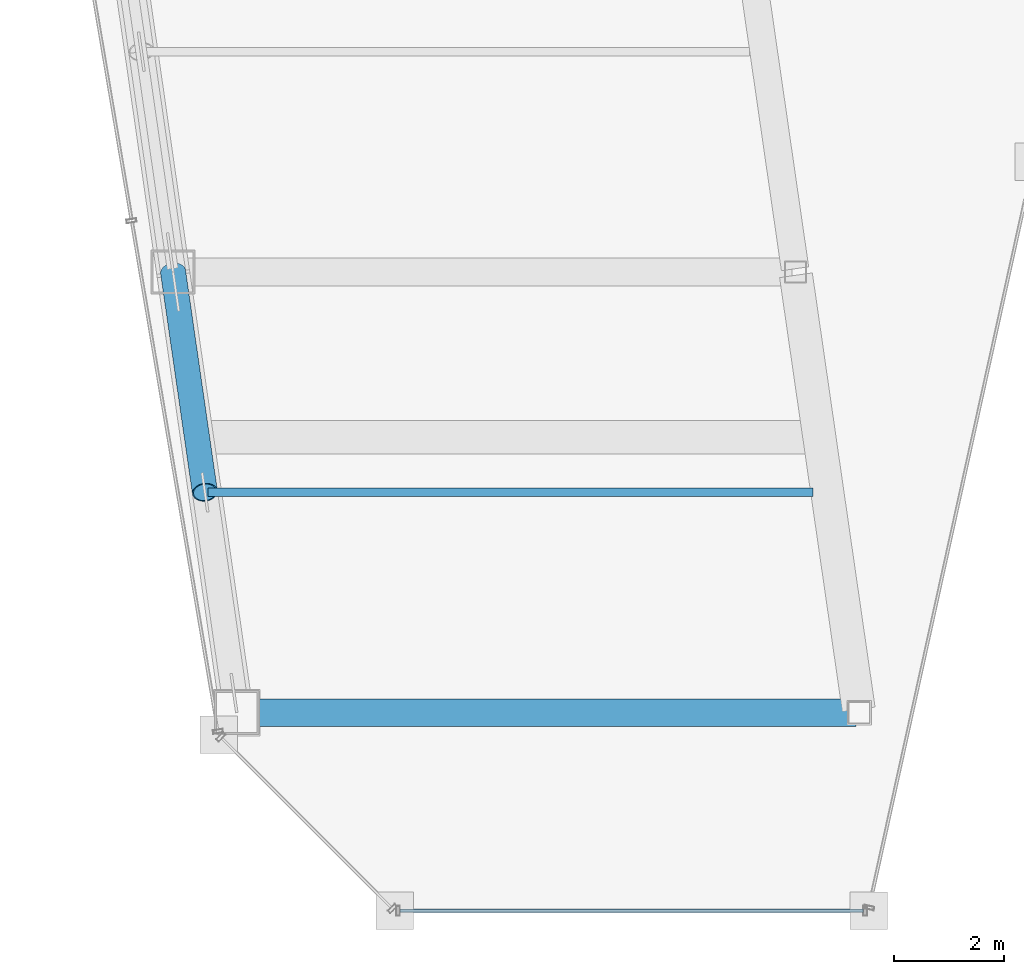
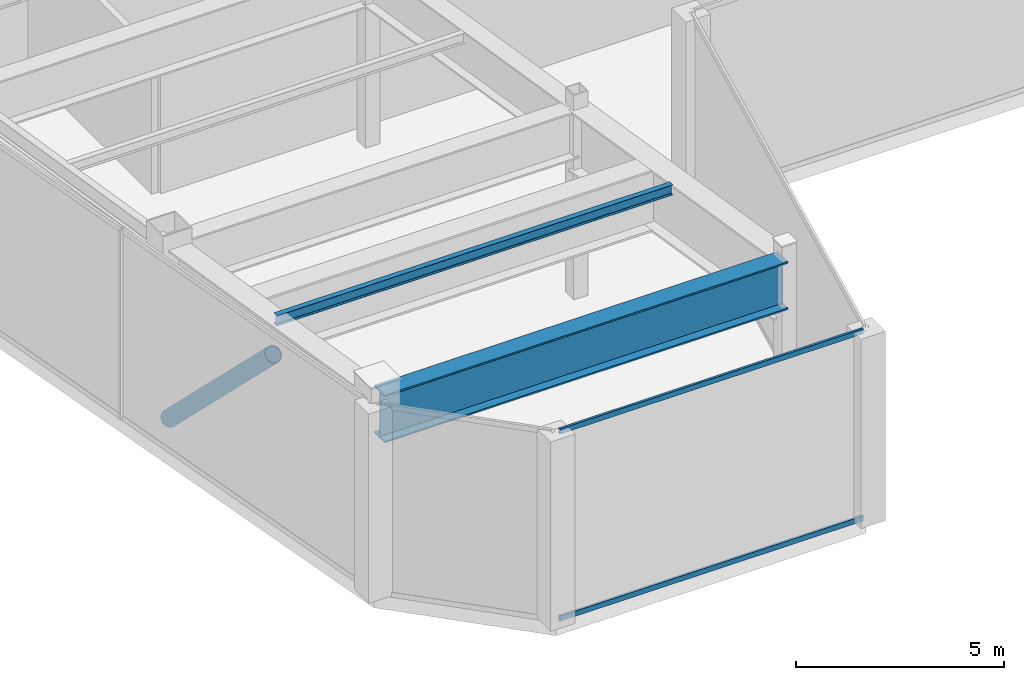
# One storey, part 4 of 34: 3 members, 2 beams, 1 element without a shape of its own.
"""IFC4 building model written with IfcOpenShell, lengths in metres."""

from ifc_helpers import new_model, si_unit, direction, frame, origin, origin_2d, place, context, subcontext, project, spatial, hollow_rectangle, hollow_circle, i_section, extrude, material, material_profile, profile_set, type_object, element, aggregate, save


model = new_model("IFC4")

# Units and contexts
model_context = context("Model", 3, precision=1e-05, world=origin(), true_north=direction((0.0, 1.0)))
body_context = subcontext(model_context, "Body", "Model", "MODEL_VIEW")
ifc_project = project(units=[si_unit("LENGTHUNIT", "METRE"), si_unit("AREAUNIT", "SQUARE_METRE"), si_unit("VOLUMEUNIT", "CUBIC_METRE"), si_unit("PLANEANGLEUNIT", "RADIAN"), si_unit("MASSUNIT", "GRAM", prefix="KILO")], contexts=[model_context])

# Site, building, storey
site_placement = place(None, origin())
site = spatial("IfcSite", under=ifc_project, at=site_placement, CompositionType="ELEMENT")
building_placement = place(site_placement, origin())
building = spatial("IfcBuilding", under=site, at=building_placement, Name="Saevonmaru Cultural Tower", CompositionType="ELEMENT")
storey_placement = place(building_placement, frame((0.0, 0.0, 224.60009765625)))
storey = spatial("IfcBuildingStorey", under=building, at=storey_placement, Name="L52", CompositionType="ELEMENT", Elevation=224.60009765625)

# Beams
ifc_material_1 = material(Name="Steel SM355", Category="steel")
ifc_material_profile_1 = material_profile(ifc_material_1, i_section(OverallWidth=0.14990234375, OverallDepth=0.300048828125, WebThickness=0.006591796875, FlangeThickness=0.009033203125, FilletRadius=0.012939453125, at=origin_2d()), Name="H-300x150x6.5x9")
ifc_profile_set_1 = profile_set([ifc_material_profile_1], Name="Steel SM355")
beam_type_1 = type_object("IfcBeamType", Name="BM-J-H300", PredefinedType="JOIST", material=ifc_profile_set_1)
beam_1_placement = place(storey_placement, frame((10.110107421875, 20.0, 5.39990234375), z_axis=(1.0, 0.0, 0.0), x_axis=(0.0, 1.0, 0.0)))
element("IfcBeam", 1, at=beam_1_placement, inside=storey, type_object=beam_type_1, Name="L52 West Wing Floor Joist 1", PredefinedType="JOIST", context=body_context, shape_type="SweptSolid", body=[
    extrude(i_section(OverallWidth=0.14990234375, OverallDepth=0.300048828125, WebThickness=0.006591796875, FlangeThickness=0.009033203125, FilletRadius=0.012939453125, at=origin_2d()), origin(), (0.0, 0.0, 1.0), 10.98193359375),
])
ifc_material_2 = material(Name="Steel HSA600 (600 MPa)", Category="steel")
ifc_material_profile_2 = material_profile(ifc_material_2, i_section(OverallWidth=0.5, OverallDepth=1.39990234375, WebThickness=0.02392578125, FlangeThickness=0.044921875, at=origin_2d()), Name="PG-1400x500x24x45")
ifc_profile_set_2 = profile_set([ifc_material_profile_2], Name="Steel HSA600 (600 MPa)")
beam_type_2 = type_object("IfcBeamType", Name="BM-TG-PG1400", PredefinedType="BEAM", material=ifc_profile_set_2)
beam_2_placement = place(storey_placement, frame((10.68798828125, 16.0, 4.849853515625), z_axis=(1.0, 0.0, 0.0), x_axis=(0.0, 1.0, 0.0)))
element("IfcBeam", 2, at=beam_2_placement, inside=storey, type_object=beam_type_2, Name="L52 West Wing Transverse Girder 1", PredefinedType="BEAM", context=body_context, shape_type="SweptSolid", body=[
    extrude(i_section(OverallWidth=0.5, OverallDepth=1.39990234375, WebThickness=0.02392578125, FlangeThickness=0.044921875, at=origin_2d()), origin(), (0.0, 0.0, 1.0), 11.179931640625),
])

# Member
ifc_material_3 = material(Name="Steel SM420", Category="steel")
ifc_material_profile_3 = material_profile(ifc_material_3, hollow_circle(Radius=0.228515625, WallThickness=0.02001953125, at=origin_2d()), Name="CHS-457.2x20")
ifc_profile_set_3 = profile_set([ifc_material_profile_3], Name="Steel SM420")
member_type_1 = type_object("IfcMemberType", Name="MB-BBR-CHS457", PredefinedType="BRACE", material=ifc_profile_set_3)
member_1_placement = place(storey_placement, frame((9.471923828125, 24.0, 0.2998046875), z_axis=(0.100418226369, -0.694785566232, 0.712172167926), x_axis=(0.989716197255, 0.143044919135, 0.0)))
element("IfcMember", 3, at=member_1_placement, inside=storey, type_object=member_type_1, Name="L52 Belt Truss Diagonal BW1-2", PredefinedType="BRACE", context=body_context, shape_type="SweptSolid", body=[
    extrude(hollow_circle(Radius=0.228515625, WallThickness=0.02001953125, at=origin_2d()), origin(), (0.0, 0.0, 1.0), 5.757080078125),
])

# Curtain wall, members
ifc_material_4 = material(Name="Satin Bronze Anodised Aluminium", Category="aluminium")
curtain_wall_type = type_object("IfcCurtainWallType", Name="CW-TYP-B", PredefinedType="NOTDEFINED", material=ifc_material_4)
curtain_wall_placement = place(storey_placement, origin())
curtain_wall = element("IfcCurtainWall", 4, at=curtain_wall_placement, inside=storey, type_object=curtain_wall_type, Name="L52 Wind-Floor Acoustic Louvre Screen E2", PredefinedType="NOTDEFINED")
ifc_material_profile_4 = material_profile(ifc_material_4, hollow_rectangle(XDim=0.06494140625, YDim=0.14990234375, WallThickness=0.00390625, at=origin_2d()), Name="ALU-TRAN-150x65x4")
ifc_profile_set_4 = profile_set([ifc_material_profile_4], Name="Satin Bronze Anodised Aluminium")
member_type_2 = type_object("IfcMemberType", Name="TR-CW-150x65", PredefinedType="USERDEFINED", material=ifc_profile_set_4)
member_2_placement = place(storey_placement, frame((13.59033203125, 12.39990234375, 0.032470703125), z_axis=(1.0, 0.0, 0.0), x_axis=(0.0, 1.0, 0.0)))
member_2 = element("IfcMember", 5, at=member_2_placement, type_object=member_type_2, Name="CW-TW-L52-E2 transom 1.1", ObjectType="TRANSOM", PredefinedType="USERDEFINED", context=body_context, shape_type="SweptSolid", body=[
    extrude(hollow_rectangle(XDim=0.06494140625, YDim=0.14990234375, WallThickness=0.00390625, at=origin_2d()), origin(), (0.0, 0.0, 1.0), 8.4150390625),
])
member_3_placement = place(storey_placement, frame((13.59033203125, 12.39990234375, 5.517333984375), z_axis=(1.0, 0.0, 0.0), x_axis=(0.0, 1.0, 0.0)))
member_3 = element("IfcMember", 6, at=member_3_placement, type_object=member_type_2, Name="CW-TW-L52-E2 transom 1.2", ObjectType="TRANSOM", PredefinedType="USERDEFINED", context=body_context, shape_type="SweptSolid", body=[
    extrude(hollow_rectangle(XDim=0.06494140625, YDim=0.14990234375, WallThickness=0.00390625, at=origin_2d()), origin(), (0.0, 0.0, 1.0), 8.4150390625),
])
aggregate(curtain_wall, [member_2, member_3])

save(model, "model.ifc")
